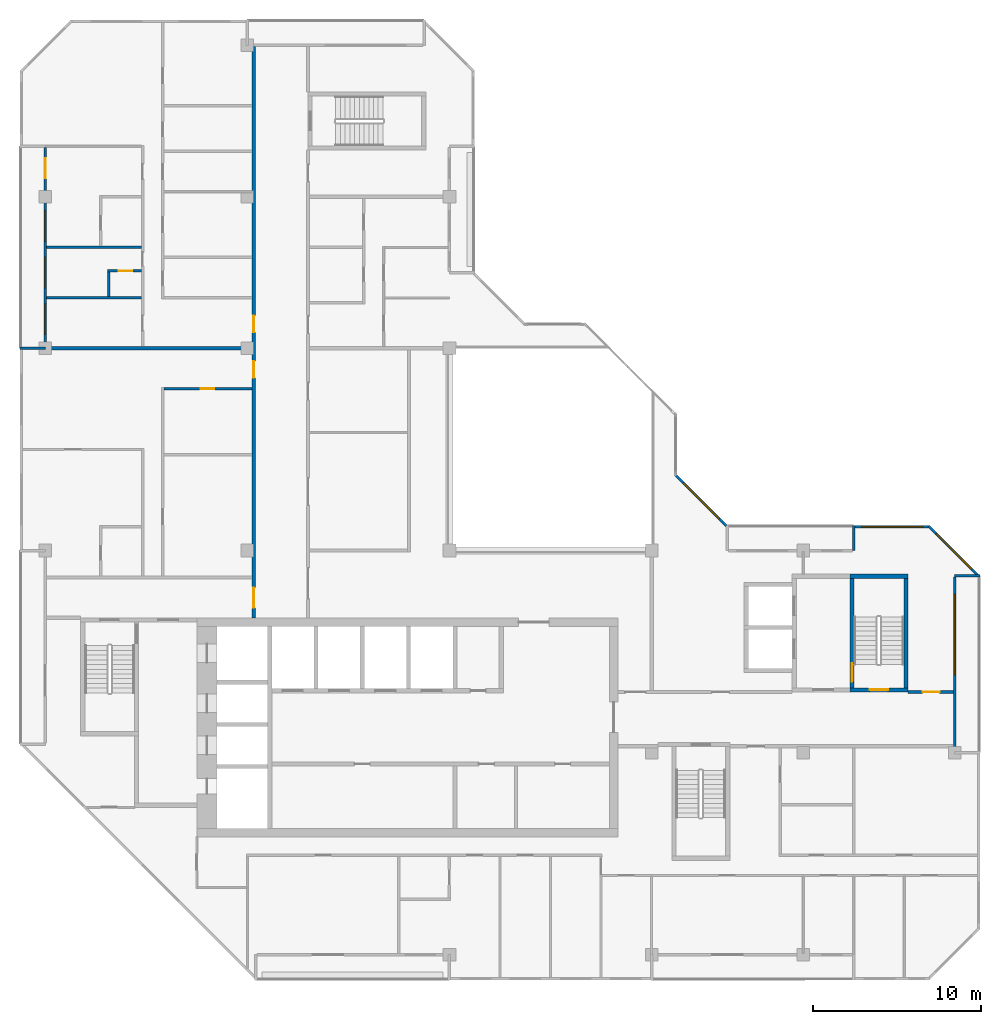
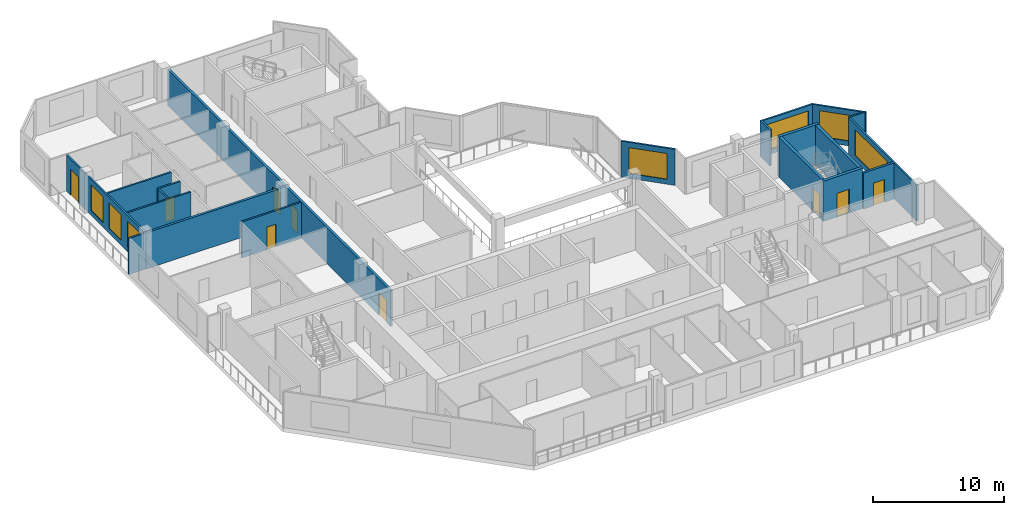
# One storey, part 7 of 12: 20 walls, 9 doors, 7 windows, 16 openings.
"""IFC4 building model written with IfcOpenShell, lengths in metres."""

from ifc_helpers import new_model, si_unit, direction, frame, frame_2d, origin, place, context, subcontext, project, spatial, rectangle, extrude, material, layer, layer_set, type_object, element, fill, save


model = new_model("IFC4")

# Units and contexts
model_context = context("Model", 3, precision=1e-05, world=origin(), true_north=direction((0.0, 1.0)))
body_context = subcontext(model_context, "Body", "Model", "MODEL_VIEW")
ifc_project = project(units=[si_unit("LENGTHUNIT", "METRE"), si_unit("AREAUNIT", "SQUARE_METRE"), si_unit("VOLUMEUNIT", "CUBIC_METRE"), si_unit("PLANEANGLEUNIT", "RADIAN"), si_unit("MASSUNIT", "GRAM", prefix="KILO")], contexts=[model_context])

# Site, building, storey
site_placement = place(None, origin())
site = spatial("IfcSite", under=ifc_project, at=site_placement, CompositionType="ELEMENT")
building_placement = place(site_placement, origin())
building = spatial("IfcBuilding", under=site, at=building_placement, Name="Chenar Terraces", CompositionType="ELEMENT")
storey_placement = place(building_placement, frame((0.0, 0.0, 350.14990234375)))
storey = spatial("IfcBuildingStorey", under=building, at=storey_placement, Name="L81", CompositionType="ELEMENT", Elevation=350.14990234375)

# Wall, opening, door
ifc_material_1 = material(Name="Concrete C50/60", Category="concrete")
ifc_layer_1 = layer(ifc_material_1, 0.25)
ifc_layer_set_1 = layer_set([ifc_layer_1], Name="Concrete C50/60")
wall_type_1 = type_object("IfcWallType", Name="Core wall 250 Concrete C50/60", PredefinedType="SHEAR", material=ifc_layer_set_1)
wall_1_placement = place(storey_placement, frame((47.77490234375, 15.72509765625, 0.0), z_axis=(0.0, 0.0, 1.0), x_axis=(1.0, 0.0, 0.0)))
wall_1 = element("IfcWall", 1, at=wall_1_placement, inside=storey, type_object=wall_type_1, Name="Core wall ST3_S L81", PredefinedType="SHEAR", context=body_context, shape_type="SweptSolid", body=[
    extrude(rectangle(XDim=3.4501953125, YDim=0.25, at=frame_2d((1.72509765625, 0.0))), origin(), (0.0, 0.0, 1.0), 3.75),
])
opening_1_placement = place(wall_1_placement, frame((1.175048828125, 0.0, 0.0)))
opening_1 = element("IfcOpeningElement", 2, at=opening_1_placement, cuts=wall_1, Name="Opening DL81-C8", PredefinedType="OPENING", context=body_context, shape_type="SweptSolid", body=[
    extrude(rectangle(XDim=1.10009765625, YDim=2.199951171875, at=frame_2d((0.550048828125, 1.10009765625))), frame((0.0, 0.135009765625, 0.0), z_axis=(0.0, -1.0, 0.0), x_axis=(1.0, 0.0, 0.0)), (0.0, 0.0, 1.0), 0.27001953125),
])
ifc_material_2 = material(Name="Steel-framed fire-resisting door leaf", Category="steel")
door_type_1 = type_object("IfcDoorType", Name="Stair fire door FD60 1100 x 2200", OperationType="SINGLE_SWING_LEFT", PredefinedType="DOOR", material=ifc_material_2)
door_1_placement = place(opening_1_placement, frame((1.10009765625, 0.0, 0.0), z_axis=(0.0, 0.0, 1.0), x_axis=(-1.0, 0.0, 0.0)))
door_1 = element("IfcDoor", 3, at=door_1_placement, inside=storey, type_object=door_type_1, Name="Stair door DL81-C8", OperationType="SINGLE_SWING_LEFT", OverallHeight=2.199951171875, OverallWidth=1.10009765625, PredefinedType="DOOR", context=body_context, shape_type="SweptSolid", body=[
    extrude(rectangle(XDim=1.10009765625, YDim=2.199951171875, at=frame_2d((0.550048828125, 1.10009765625))), frame((0.0, 0.02490234375, 0.0), z_axis=(0.0, -1.0, 0.0), x_axis=(1.0, 0.0, 0.0)), (0.0, 0.0, 1.0), 0.050048828125),
])
fill(opening_1, door_1)

# Wall
wall_2_placement = place(storey_placement, frame((47.77490234375, 22.47509765625, 0.0), z_axis=(0.0, 0.0, 1.0), x_axis=(1.0, 0.0, 0.0)))
element("IfcWall", 4, at=wall_2_placement, inside=storey, type_object=wall_type_1, Name="Core wall ST3_N L81", PredefinedType="SHEAR", context=body_context, shape_type="SweptSolid", body=[
    extrude(rectangle(XDim=3.4501953125, YDim=0.25, at=frame_2d((1.72509765625, 0.0))), origin(), (0.0, 0.0, 1.0), 3.75),
])

# Wall, opening, door
wall_3_placement = place(storey_placement, frame((47.89990234375, 15.85009765625, 0.0), z_axis=(0.0, 0.0, 1.0), x_axis=(0.0, 1.0, 0.0)))
wall_3 = element("IfcWall", 5, at=wall_3_placement, inside=storey, type_object=wall_type_1, Name="Core wall ST3_W L81", PredefinedType="SHEAR", context=body_context, shape_type="SweptSolid", body=[
    extrude(rectangle(XDim=6.5, YDim=0.25, at=frame_2d((3.25, 0.0))), origin(), (0.0, 0.0, 1.0), 3.75),
])
opening_2_placement = place(wall_3_placement, frame((0.35009765625, 0.0, 0.0)))
opening_2 = element("IfcOpeningElement", 6, at=opening_2_placement, cuts=wall_3, Name="Opening DL81-C11", PredefinedType="OPENING", context=body_context, shape_type="SweptSolid", body=[
    extrude(rectangle(XDim=1.10009765625, YDim=2.199951171875, at=frame_2d((0.550048828125, 1.10009765625))), frame((0.0, 0.135009765625, 0.0), z_axis=(0.0, -1.0, 0.0), x_axis=(1.0, 0.0, 0.0)), (0.0, 0.0, 1.0), 0.27001953125),
])
door_2_placement = place(opening_2_placement, frame((1.10009765625, 0.0, 0.0), z_axis=(0.0, 0.0, 1.0), x_axis=(-1.0, 0.0, 0.0)))
door_2 = element("IfcDoor", 7, at=door_2_placement, inside=storey, type_object=door_type_1, Name="Stair door DL81-C11", OperationType="SINGLE_SWING_RIGHT", OverallHeight=2.199951171875, OverallWidth=1.10009765625, PredefinedType="DOOR", context=body_context, shape_type="SweptSolid", body=[
    extrude(rectangle(XDim=1.10009765625, YDim=2.199951171875, at=frame_2d((0.550048828125, 1.10009765625))), frame((0.0, 0.02490234375, 0.0), z_axis=(0.0, -1.0, 0.0), x_axis=(1.0, 0.0, 0.0)), (0.0, 0.0, 1.0), 0.050048828125),
])
fill(opening_2, door_2)

# Wall
wall_4_placement = place(storey_placement, frame((51.10009765625, 15.85009765625, 0.0), z_axis=(0.0, 0.0, 1.0), x_axis=(0.0, 1.0, 0.0)))
element("IfcWall", 8, at=wall_4_placement, inside=storey, type_object=wall_type_1, Name="Core wall ST3_E L81", PredefinedType="SHEAR", context=body_context, shape_type="SweptSolid", body=[
    extrude(rectangle(XDim=6.5, YDim=0.25, at=frame_2d((3.25, 0.0))), origin(), (0.0, 0.0, 1.0), 3.75),
])

# Wall, openings, doors
ifc_material_3 = material(Name="Gypsum board on steel studs with fire boards", Category="steel")
ifc_layer_2 = layer(ifc_material_3, 0.199951171875)
ifc_layer_set_2 = layer_set([ifc_layer_2], Name="Gypsum board on steel studs with fire boards")
wall_type_2 = type_object("IfcWallType", Name="Corridor wall 200", PredefinedType="PARTITIONING", material=ifc_layer_set_2)
wall_5_placement = place(storey_placement, frame((12.375, 20.0, 0.0), z_axis=(0.0, 0.0, 1.0), x_axis=(0.0, 1.0, 0.0)))
wall_5 = element("IfcWall", 9, at=wall_5_placement, inside=storey, type_object=wall_type_2, Name="Partition L81-030", PredefinedType="PARTITIONING", context=body_context, shape_type="SweptSolid", body=[
    extrude(rectangle(XDim=33.926025390625, YDim=0.199951171875, at=frame_2d((16.962890625, 0.0))), origin(), (0.0, 0.0, 1.0), 3.35009765625),
])
opening_3_placement = place(wall_5_placement, frame((16.949951171875, 0.0, 0.0)))
opening_3 = element("IfcOpeningElement", 10, at=opening_3_placement, cuts=wall_5, Name="Opening DL81-14", PredefinedType="OPENING", context=body_context, shape_type="SweptSolid", body=[
    extrude(rectangle(XDim=1.0, YDim=2.10009765625, at=frame_2d((0.5, 1.050048828125))), frame((0.0, 0.10986328125, 0.0), z_axis=(0.0, -1.0, 0.0), x_axis=(1.0, 0.0, 0.0)), (0.0, 0.0, 1.0), 0.219970703125),
])
opening_4_placement = place(wall_5_placement, frame((0.60009765625, 0.0, 0.0)))
opening_4 = element("IfcOpeningElement", 11, at=opening_4_placement, cuts=wall_5, Name="Opening DL81-22", PredefinedType="OPENING", context=body_context, shape_type="SweptSolid", body=[
    extrude(rectangle(XDim=1.199951171875, YDim=2.10009765625, at=frame_2d((0.60009765625, 1.050048828125))), frame((0.0, 0.10986328125, 0.0), z_axis=(0.0, -1.0, 0.0), x_axis=(1.0, 0.0, 0.0)), (0.0, 0.0, 1.0), 0.219970703125),
])
opening_5_placement = place(wall_5_placement, frame((14.25, 0.0, 0.0)))
opening_5 = element("IfcOpeningElement", 12, at=opening_5_placement, cuts=wall_5, Name="Opening DL81-45", PredefinedType="OPENING", context=body_context, shape_type="SweptSolid", body=[
    extrude(rectangle(XDim=1.0, YDim=2.10009765625, at=frame_2d((0.5, 1.050048828125))), frame((0.0, 0.10986328125, 0.0), z_axis=(0.0, -1.0, 0.0), x_axis=(1.0, 0.0, 0.0)), (0.0, 0.0, 1.0), 0.219970703125),
])
ifc_material_4 = material(Name="Steel-framed fire-resisting door leaf", Category="steel")
door_type_2 = type_object("IfcDoorType", Name="Fire door FD30S 1000 x 2100", OperationType="SINGLE_SWING_LEFT", PredefinedType="DOOR", material=ifc_material_4)
door_3_placement = place(opening_3_placement, origin())
door_3 = element("IfcDoor", 13, at=door_3_placement, inside=storey, type_object=door_type_2, Name="Door DL81-14", OperationType="SINGLE_SWING_LEFT", OverallHeight=2.10009765625, OverallWidth=1.0, PredefinedType="DOOR", context=body_context, shape_type="SweptSolid", body=[
    extrude(rectangle(XDim=1.0, YDim=2.10009765625, at=frame_2d((0.5, 1.050048828125))), frame((0.0, 0.02490234375, 0.0), z_axis=(0.0, -1.0, 0.0), x_axis=(1.0, 0.0, 0.0)), (0.0, 0.0, 1.0), 0.050048828125),
])
fill(opening_3, door_3)
door_4_placement = place(opening_5_placement, origin())
door_4 = element("IfcDoor", 14, at=door_4_placement, inside=storey, type_object=door_type_2, Name="Door DL81-45", OperationType="SINGLE_SWING_RIGHT", OverallHeight=2.10009765625, OverallWidth=1.0, PredefinedType="DOOR", context=body_context, shape_type="SweptSolid", body=[
    extrude(rectangle(XDim=1.0, YDim=2.10009765625, at=frame_2d((0.5, 1.050048828125))), frame((0.0, 0.02490234375, 0.0), z_axis=(0.0, -1.0, 0.0), x_axis=(1.0, 0.0, 0.0)), (0.0, 0.0, 1.0), 0.050048828125),
])
fill(opening_5, door_4)
ifc_material_5 = material(Name="Steel-framed fire-resisting door leaf", Category="steel")
door_type_3 = type_object("IfcDoorType", Name="Fire door FD30S 1200 x 2100", OperationType="SINGLE_SWING_LEFT", PredefinedType="DOOR", material=ifc_material_5)
door_5_placement = place(opening_4_placement, origin())
door_5 = element("IfcDoor", 15, at=door_5_placement, inside=storey, type_object=door_type_3, Name="Door DL81-22", OperationType="SINGLE_SWING_RIGHT", OverallHeight=2.10009765625, OverallWidth=1.199951171875, PredefinedType="DOOR", context=body_context, shape_type="SweptSolid", body=[
    extrude(rectangle(XDim=1.199951171875, YDim=2.10009765625, at=frame_2d((0.60009765625, 1.050048828125))), frame((0.0, 0.02490234375, 0.0), z_axis=(0.0, -1.0, 0.0), x_axis=(1.0, 0.0, 0.0)), (0.0, 0.0, 1.0), 0.050048828125),
])
fill(opening_4, door_5)

# Wall, opening, door
wall_6_placement = place(storey_placement, frame((51.22509765625, 15.60009765625, 0.0), z_axis=(0.0, 0.0, 1.0), x_axis=(1.0, 0.0, 0.0)))
wall_6 = element("IfcWall", 16, at=wall_6_placement, inside=storey, type_object=wall_type_2, Name="Partition L81-064", PredefinedType="PARTITIONING", context=body_context, shape_type="SweptSolid", body=[
    extrude(rectangle(XDim=2.700927734375, YDim=0.199951171875, at=frame_2d((1.3505859375, 0.0))), origin(), (0.0, 0.0, 1.0), 3.35009765625),
])
opening_6_placement = place(wall_6_placement, frame((0.875, 0.0, 0.0)))
opening_6 = element("IfcOpeningElement", 17, at=opening_6_placement, cuts=wall_6, Name="Opening DL81-23", PredefinedType="OPENING", context=body_context, shape_type="SweptSolid", body=[
    extrude(rectangle(XDim=1.0, YDim=2.10009765625, at=frame_2d((0.5, 1.050048828125))), frame((0.0, 0.10986328125, 0.0), z_axis=(0.0, -1.0, 0.0), x_axis=(1.0, 0.0, 0.0)), (0.0, 0.0, 1.0), 0.219970703125),
])
ifc_material_6 = material(Name="Steel-framed fire-resisting door leaf", Category="steel")
door_type_4 = type_object("IfcDoorType", Name="Fire door FD60 1000 x 2100", OperationType="SINGLE_SWING_LEFT", PredefinedType="DOOR", material=ifc_material_6)
door_6_placement = place(opening_6_placement, origin())
door_6 = element("IfcDoor", 18, at=door_6_placement, inside=storey, type_object=door_type_4, Name="Door DL81-23", OperationType="SINGLE_SWING_RIGHT", OverallHeight=2.10009765625, OverallWidth=1.0, PredefinedType="DOOR", context=body_context, shape_type="SweptSolid", body=[
    extrude(rectangle(XDim=1.0, YDim=2.10009765625, at=frame_2d((0.5, 1.050048828125))), frame((0.0, 0.02490234375, 0.0), z_axis=(0.0, -1.0, 0.0), x_axis=(1.0, 0.0, 0.0)), (0.0, 0.0, 1.0), 0.050048828125),
])
fill(opening_6, door_6)

# Wall, opening, window
ifc_material_7 = material(Name="Aluminium framed glazing", Category="aluminium")
ifc_layer_3 = layer(ifc_material_7, 0.14990234375)
ifc_layer_set_3 = layer_set([ifc_layer_3], Name="Aluminium framed glazing")
wall_type_3 = type_object("IfcWallType", Name="Glazed flush facade wall 150", PredefinedType="SOLIDWALL", material=ifc_layer_set_3)
wall_7_placement = place(storey_placement, frame((52.5, 25.425048828125, 0.0), z_axis=(0.0, 0.0, 1.0), x_axis=(-1.0, 0.0, 0.0)))
wall_7 = element("IfcWall", 19, at=wall_7_placement, inside=storey, type_object=wall_type_3, Name="Glazed flush facade wall", PredefinedType="SOLIDWALL", context=body_context, shape_type="SweptSolid", body=[
    extrude(rectangle(XDim=4.425048828125, YDim=0.14990234375, at=frame_2d((2.21240234375, 0.0))), origin(), (0.0, 0.0, 1.0), 3.35009765625),
])
opening_7_placement = place(wall_7_placement, frame((0.41259765625, 0.0, 0.449951171875)))
opening_7 = element("IfcOpeningElement", 20, at=opening_7_placement, cuts=wall_7, Name="Opening W360x240", PredefinedType="OPENING", context=body_context, shape_type="SweptSolid", body=[
    extrude(rectangle(XDim=3.60009765625, YDim=2.39990234375, at=frame_2d((1.800048828125, 1.199951171875))), frame((0.0, 0.0849609375, 0.0), z_axis=(0.0, -1.0, 0.0), x_axis=(1.0, 0.0, 0.0)), (0.0, 0.0, 1.0), 0.169921875),
])
ifc_material_8 = material(Name="Low emissivity double glazing, aluminium frame", Category="aluminium")
window_type_1 = type_object("IfcWindowType", Name="Fixed light 3600 x 2400", PartitioningType="SINGLE_PANEL", PredefinedType="WINDOW", material=ifc_material_8)
window_1_placement = place(opening_7_placement, origin())
window_1 = element("IfcWindow", 21, at=window_1_placement, inside=storey, type_object=window_type_1, Name="Window", OverallHeight=2.39990234375, OverallWidth=3.60009765625, PartitioningType="SINGLE_PANEL", PredefinedType="WINDOW", context=body_context, shape_type="SweptSolid", body=[
    extrude(rectangle(XDim=3.60009765625, YDim=2.39990234375, at=frame_2d((1.800048828125, 1.199951171875))), frame((0.0, 0.030029296875, 0.0), z_axis=(0.0, -1.0, 0.0), x_axis=(1.0, 0.0, 0.0)), (0.0, 0.0, 1.0), 0.06005859375),
])
fill(opening_7, window_1)

# Wall, openings, windows, door
ifc_material_9 = material(Name="Aluminium framed glazing", Category="aluminium")
ifc_layer_4 = layer(ifc_material_9, 0.14990234375)
ifc_layer_set_4 = layer_set([ifc_layer_4], Name="Aluminium framed glazing")
wall_type_4 = type_object("IfcWallType", Name="Glazed loggia back wall 150", PredefinedType="SOLIDWALL", material=ifc_layer_set_4)
wall_8_placement = place(storey_placement, frame((0.0, 47.925048828125, 0.0), z_axis=(0.0, 0.0, 1.0), x_axis=(0.0, -1.0, 0.0)))
wall_8 = element("IfcWall", 22, at=wall_8_placement, inside=storey, type_object=wall_type_4, Name="Glazed loggia back wall", PredefinedType="SOLIDWALL", context=body_context, shape_type="SweptSolid", body=[
    extrude(rectangle(XDim=11.85009765625, YDim=0.14990234375, at=frame_2d((5.925048828125, 0.0))), origin(), (0.0, 0.0, 1.0), 3.35009765625),
])
opening_8_placement = place(wall_8_placement, frame((0.625, 0.0, 0.0)))
opening_8 = element("IfcOpeningElement", 23, at=opening_8_placement, cuts=wall_8, Name="Opening DL81-G1", PredefinedType="OPENING", context=body_context, shape_type="SweptSolid", body=[
    extrude(rectangle(XDim=1.199951171875, YDim=2.39990234375, at=frame_2d((0.60009765625, 1.199951171875))), frame((0.0, 0.0849609375, 0.0), z_axis=(0.0, -1.0, 0.0), x_axis=(1.0, 0.0, 0.0)), (0.0, 0.0, 1.0), 0.169921875),
])
opening_9_placement = place(wall_8_placement, frame((3.762451171875, 0.0, 0.449951171875)))
opening_9 = element("IfcOpeningElement", 24, at=opening_9_placement, cuts=wall_8, Name="Opening W180x240", PredefinedType="OPENING", context=body_context, shape_type="SweptSolid", body=[
    extrude(rectangle(XDim=1.800048828125, YDim=2.39990234375, at=frame_2d((0.89990234375, 1.199951171875))), frame((0.0, 0.0849609375, 0.0), z_axis=(0.0, -1.0, 0.0), x_axis=(1.0, 0.0, 0.0)), (0.0, 0.0, 1.0), 0.169921875),
])
opening_10_placement = place(wall_8_placement, frame((6.52490234375, 0.0, 0.449951171875)))
opening_10 = element("IfcOpeningElement", 25, at=opening_10_placement, cuts=wall_8, Name="Opening W180x240", PredefinedType="OPENING", context=body_context, shape_type="SweptSolid", body=[
    extrude(rectangle(XDim=1.800048828125, YDim=2.39990234375, at=frame_2d((0.89990234375, 1.199951171875))), frame((0.0, 0.0849609375, 0.0), z_axis=(0.0, -1.0, 0.0), x_axis=(1.0, 0.0, 0.0)), (0.0, 0.0, 1.0), 0.169921875),
])
opening_11_placement = place(wall_8_placement, frame((9.28759765625, 0.0, 0.449951171875)))
opening_11 = element("IfcOpeningElement", 26, at=opening_11_placement, cuts=wall_8, Name="Opening W180x240", PredefinedType="OPENING", context=body_context, shape_type="SweptSolid", body=[
    extrude(rectangle(XDim=1.800048828125, YDim=2.39990234375, at=frame_2d((0.89990234375, 1.199951171875))), frame((0.0, 0.0849609375, 0.0), z_axis=(0.0, -1.0, 0.0), x_axis=(1.0, 0.0, 0.0)), (0.0, 0.0, 1.0), 0.169921875),
])
ifc_material_10 = material(Name="Low emissivity double glazing, aluminium frame", Category="aluminium")
window_type_2 = type_object("IfcWindowType", Name="Fixed light 1800 x 2400", PartitioningType="SINGLE_PANEL", PredefinedType="WINDOW", material=ifc_material_10)
window_2_placement = place(opening_9_placement, origin())
window_2 = element("IfcWindow", 27, at=window_2_placement, inside=storey, type_object=window_type_2, Name="Window", OverallHeight=2.39990234375, OverallWidth=1.800048828125, PartitioningType="SINGLE_PANEL", PredefinedType="WINDOW", context=body_context, shape_type="SweptSolid", body=[
    extrude(rectangle(XDim=1.800048828125, YDim=2.39990234375, at=frame_2d((0.89990234375, 1.199951171875))), frame((0.0, 0.030029296875, 0.0), z_axis=(0.0, -1.0, 0.0), x_axis=(1.0, 0.0, 0.0)), (0.0, 0.0, 1.0), 0.06005859375),
])
fill(opening_9, window_2)
window_3_placement = place(opening_10_placement, origin())
window_3 = element("IfcWindow", 28, at=window_3_placement, inside=storey, type_object=window_type_2, Name="Window", OverallHeight=2.39990234375, OverallWidth=1.800048828125, PartitioningType="SINGLE_PANEL", PredefinedType="WINDOW", context=body_context, shape_type="SweptSolid", body=[
    extrude(rectangle(XDim=1.800048828125, YDim=2.39990234375, at=frame_2d((0.89990234375, 1.199951171875))), frame((0.0, 0.030029296875, 0.0), z_axis=(0.0, -1.0, 0.0), x_axis=(1.0, 0.0, 0.0)), (0.0, 0.0, 1.0), 0.06005859375),
])
fill(opening_10, window_3)
window_4_placement = place(opening_11_placement, origin())
window_4 = element("IfcWindow", 29, at=window_4_placement, inside=storey, type_object=window_type_2, Name="Window", OverallHeight=2.39990234375, OverallWidth=1.800048828125, PartitioningType="SINGLE_PANEL", PredefinedType="WINDOW", context=body_context, shape_type="SweptSolid", body=[
    extrude(rectangle(XDim=1.800048828125, YDim=2.39990234375, at=frame_2d((0.89990234375, 1.199951171875))), frame((0.0, 0.030029296875, 0.0), z_axis=(0.0, -1.0, 0.0), x_axis=(1.0, 0.0, 0.0)), (0.0, 0.0, 1.0), 0.06005859375),
])
fill(opening_11, window_4)
ifc_material_11 = material(Name="Low emissivity double glazing, aluminium frame", Category="aluminium")
door_type_5 = type_object("IfcDoorType", Name="Loggia glazed double door 1200 x 2400", OperationType="DOUBLE_DOOR_SINGLE_SWING", PredefinedType="DOOR", material=ifc_material_11)
door_7_placement = place(opening_8_placement, frame((1.199951171875, 0.0, 0.0), z_axis=(0.0, 0.0, 1.0), x_axis=(-1.0, 0.0, 0.0)))
door_7 = element("IfcDoor", 30, at=door_7_placement, inside=storey, type_object=door_type_5, Name="Loggia glazed door", OperationType="DOUBLE_DOOR_SINGLE_SWING", OverallHeight=2.39990234375, OverallWidth=1.199951171875, PredefinedType="DOOR", context=body_context, shape_type="SweptSolid", body=[
    extrude(rectangle(XDim=1.199951171875, YDim=2.39990234375, at=frame_2d((0.60009765625, 1.199951171875))), frame((0.0, 0.02490234375, 0.0), z_axis=(0.0, -1.0, 0.0), x_axis=(1.0, 0.0, 0.0)), (0.0, 0.0, 1.0), 0.050048828125),
])
fill(opening_8, door_7)

# Wall, opening, window
wall_9_placement = place(storey_placement, frame((54.0, 12.074951171875, 0.0), z_axis=(0.0, 0.0, 1.0), x_axis=(0.0, 1.0, 0.0)))
wall_9 = element("IfcWall", 31, at=wall_9_placement, inside=storey, type_object=wall_type_4, Name="Glazed loggia back wall", PredefinedType="SOLIDWALL", context=body_context, shape_type="SweptSolid", body=[
    extrude(rectangle(XDim=10.35009765625, YDim=0.14990234375, at=frame_2d((5.175048828125, 0.0))), origin(), (0.0, 0.0, 1.0), 3.35009765625),
])
opening_12_placement = place(wall_9_placement, frame((4.53759765625, 0.0, 0.449951171875)))
opening_12 = element("IfcOpeningElement", 32, at=opening_12_placement, cuts=wall_9, Name="Opening W480x240", PredefinedType="OPENING", context=body_context, shape_type="SweptSolid", body=[
    extrude(rectangle(XDim=4.800048828125, YDim=2.39990234375, at=frame_2d((2.39990234375, 1.199951171875))), frame((0.0, 0.0849609375, 0.0), z_axis=(0.0, -1.0, 0.0), x_axis=(1.0, 0.0, 0.0)), (0.0, 0.0, 1.0), 0.169921875),
])
ifc_material_12 = material(Name="Low emissivity double glazing, aluminium frame", Category="aluminium")
window_type_3 = type_object("IfcWindowType", Name="Fixed light 4800 x 2400", PartitioningType="SINGLE_PANEL", PredefinedType="WINDOW", material=ifc_material_12)
window_5_placement = place(opening_12_placement, origin())
window_5 = element("IfcWindow", 33, at=window_5_placement, inside=storey, type_object=window_type_3, Name="Window", OverallHeight=2.39990234375, OverallWidth=4.800048828125, PartitioningType="SINGLE_PANEL", PredefinedType="WINDOW", context=body_context, shape_type="SweptSolid", body=[
    extrude(rectangle(XDim=4.800048828125, YDim=2.39990234375, at=frame_2d((2.39990234375, 1.199951171875))), frame((0.0, 0.030029296875, 0.0), z_axis=(0.0, -1.0, 0.0), x_axis=(1.0, 0.0, 0.0)), (0.0, 0.0, 1.0), 0.06005859375),
])
fill(opening_12, window_5)

# Walls
ifc_material_13 = material(Name="Terracotta cladding on insulated backing", Category="masonry")
ifc_layer_5 = layer(ifc_material_13, 0.14990234375)
ifc_layer_set_5 = layer_set([ifc_layer_5], Name="Terracotta cladding on insulated backing")
wall_type_5 = type_object("IfcWallType", Name="Loggia return wall 150", PredefinedType="SOLIDWALL", material=ifc_layer_set_5)
for number, where, z_axis, x_axis, name in (
    (34, (48.0, 25.5, 0.0), (0.0, 0.0, 1.0), (0.0, -1.0, 0.0), "Loggia return wall"),
    (35, (-1.5, 36.0, 0.0), (0.0, 0.0, 1.0), (1.0, 0.0, 0.0), "Loggia return wall"),
    (36, (55.5, 22.5, 0.0), (0.0, 0.0, 1.0), (-1.0, 0.0, 0.0), "Loggia return wall"),
):
    element("IfcWall", number, at=place(storey_placement, frame(where, z_axis=z_axis, x_axis=x_axis)), inside=storey, type_object=wall_type_5, Name=name, PredefinedType="SOLIDWALL", context=body_context, shape_type="SweptSolid", body=[
        extrude(rectangle(XDim=1.5, YDim=0.14990234375, at=frame_2d((0.75, 0.0))), origin(), (0.0, 0.0, 1.0), 3.35009765625),
    ])

# Wall, opening, window
ifc_material_14 = material(Name="Terracotta cladding on insulated backing", Category="masonry")
ifc_layer_6 = layer(ifc_material_14, 0.14990234375)
ifc_layer_set_6 = layer_set([ifc_layer_6], Name="Terracotta cladding on insulated backing")
wall_type_6 = type_object("IfcWallType", Name="Terracotta rainscreen wall 150", PredefinedType="SOLIDWALL", material=ifc_layer_set_6)
wall_10_placement = place(storey_placement, frame((40.447021484375, 25.447021484375, 0.0), z_axis=(0.0, 0.0, 1.0), x_axis=(-0.707106781187, 0.707106781187, 0.0)))
wall_10 = element("IfcWall", 37, at=wall_10_placement, inside=storey, type_object=wall_type_6, Name="Terracotta rainscreen wall", PredefinedType="SOLIDWALL", context=body_context, shape_type="SweptSolid", body=[
    extrude(rectangle(XDim=4.24267578125, YDim=0.14990234375, at=frame_2d((2.121337890625, 0.0))), origin(), (0.0, 0.0, 1.0), 3.35009765625),
])
opening_13_placement = place(wall_10_placement, frame((0.621337890625, 0.0, 0.449951171875)))
opening_13 = element("IfcOpeningElement", 38, at=opening_13_placement, cuts=wall_10, Name="Opening W300x240", PredefinedType="OPENING", context=body_context, shape_type="SweptSolid", body=[
    extrude(rectangle(XDim=3.0, YDim=2.39990234375, at=frame_2d((1.5, 1.199951171875))), frame((0.0, 0.0849609375, 0.0), z_axis=(0.0, -1.0, 0.0), x_axis=(1.0, 0.0, 0.0)), (0.0, 0.0, 1.0), 0.169921875),
])
ifc_material_15 = material(Name="Low emissivity double glazing, aluminium frame", Category="aluminium")
window_type_4 = type_object("IfcWindowType", Name="Fixed light 3000 x 2400", PartitioningType="SINGLE_PANEL", PredefinedType="WINDOW", material=ifc_material_15)
window_6_placement = place(opening_13_placement, origin())
window_6 = element("IfcWindow", 39, at=window_6_placement, inside=storey, type_object=window_type_4, Name="Window", OverallHeight=2.39990234375, OverallWidth=3.0, PartitioningType="SINGLE_PANEL", PredefinedType="WINDOW", context=body_context, shape_type="SweptSolid", body=[
    extrude(rectangle(XDim=3.0, YDim=2.39990234375, at=frame_2d((1.5, 1.199951171875))), frame((0.0, 0.030029296875, 0.0), z_axis=(0.0, -1.0, 0.0), x_axis=(1.0, 0.0, 0.0)), (0.0, 0.0, 1.0), 0.06005859375),
])
fill(opening_13, window_6)

wall_11_placement = place(storey_placement, frame((55.447021484375, 22.447021484375, 0.0), z_axis=(0.0, 0.0, 1.0), x_axis=(-0.707106781187, 0.707106781187, 0.0)))
wall_11 = element("IfcWall", 40, at=wall_11_placement, inside=storey, type_object=wall_type_6, Name="Terracotta rainscreen wall", PredefinedType="SOLIDWALL", context=body_context, shape_type="SweptSolid", body=[
    extrude(rectangle(XDim=4.24267578125, YDim=0.14990234375, at=frame_2d((2.121337890625, 0.0))), origin(), (0.0, 0.0, 1.0), 3.35009765625),
])
opening_14_placement = place(wall_11_placement, frame((0.621337890625, 0.0, 0.449951171875)))
opening_14 = element("IfcOpeningElement", 41, at=opening_14_placement, cuts=wall_11, Name="Opening W300x240", PredefinedType="OPENING", context=body_context, shape_type="SweptSolid", body=[
    extrude(rectangle(XDim=3.0, YDim=2.39990234375, at=frame_2d((1.5, 1.199951171875))), frame((0.0, 0.0849609375, 0.0), z_axis=(0.0, -1.0, 0.0), x_axis=(1.0, 0.0, 0.0)), (0.0, 0.0, 1.0), 0.169921875),
])
window_7_placement = place(opening_14_placement, origin())
window_7 = element("IfcWindow", 42, at=window_7_placement, inside=storey, type_object=window_type_4, Name="Window", OverallHeight=2.39990234375, OverallWidth=3.0, PartitioningType="SINGLE_PANEL", PredefinedType="WINDOW", context=body_context, shape_type="SweptSolid", body=[
    extrude(rectangle(XDim=3.0, YDim=2.39990234375, at=frame_2d((1.5, 1.199951171875))), frame((0.0, 0.030029296875, 0.0), z_axis=(0.0, -1.0, 0.0), x_axis=(1.0, 0.0, 0.0)), (0.0, 0.0, 1.0), 0.06005859375),
])
fill(opening_14, window_7)

# Walls
ifc_material_16 = material(Name="Twin gypsum board on steel studs with mineral wool", Category="steel")
ifc_layer_7 = layer(ifc_material_16, 0.199951171875)
ifc_layer_set_7 = layer_set([ifc_layer_7], Name="Twin gypsum board on steel studs with mineral wool")
wall_type_7 = type_object("IfcWallType", Name="Unit demising wall 200", PredefinedType="PARTITIONING", material=ifc_layer_set_7)
wall_12_placement = place(storey_placement, frame((0.0, 36.0, 0.0), z_axis=(0.0, 0.0, 1.0), x_axis=(1.0, 0.0, 0.0)))
element("IfcWall", 43, at=wall_12_placement, inside=storey, type_object=wall_type_7, Name="Partition L81-002", PredefinedType="PARTITIONING", context=body_context, shape_type="SweptSolid", body=[
    extrude(rectangle(XDim=12.27490234375, YDim=0.199951171875, at=frame_2d((6.137451171875, 0.0))), origin(), (0.0, 0.0, 1.0), 3.35009765625),
])
ifc_material_17 = material(Name="Moisture-resistant gypsum board on steel studs", Category="steel")
ifc_layer_8 = layer(ifc_material_17, 0.14990234375)
ifc_layer_set_8 = layer_set([ifc_layer_8], Name="Moisture-resistant gypsum board on steel studs")
wall_type_8 = type_object("IfcWallType", Name="Wet-room partition 150", PredefinedType="PARTITIONING", material=ifc_layer_set_8)
for number, where, z_axis, x_axis, name in (
    (44, (0.073974609375, 39.0, 0.0), (0.0, 0.0, 1.0), (1.0, 0.0, 0.0), "Partition L81-006"),
    (45, (0.073974609375, 42.0, 0.0), (0.0, 0.0, 1.0), (1.0, 0.0, 0.0), "Partition L81-007"),
):
    element("IfcWall", number, at=place(storey_placement, frame(where, z_axis=z_axis, x_axis=x_axis)), inside=storey, type_object=wall_type_8, Name=name, PredefinedType="PARTITIONING", context=body_context, shape_type="SweptSolid", body=[
        extrude(rectangle(XDim=5.6259765625, YDim=0.14990234375, at=frame_2d((2.81298828125, 0.0))), origin(), (0.0, 0.0, 1.0), 3.35009765625),
    ])

# Wall, opening, door
wall_13_placement = place(storey_placement, frame((3.699951171875, 40.60009765625, 0.0), z_axis=(0.0, 0.0, 1.0), x_axis=(1.0, 0.0, 0.0)))
wall_13 = element("IfcWall", 46, at=wall_13_placement, inside=storey, type_object=wall_type_8, Name="Partition L81-013", PredefinedType="PARTITIONING", context=body_context, shape_type="SweptSolid", body=[
    extrude(rectangle(XDim=2.0, YDim=0.14990234375, at=frame_2d((1.0, 0.0))), origin(), (0.0, 0.0, 1.0), 3.35009765625),
])
opening_15_placement = place(wall_13_placement, frame((0.675048828125, 0.0, 0.0)))
opening_15 = element("IfcOpeningElement", 47, at=opening_15_placement, cuts=wall_13, Name="Opening DL81-16", PredefinedType="OPENING", context=body_context, shape_type="SweptSolid", body=[
    extrude(rectangle(XDim=0.800048828125, YDim=2.10009765625, at=frame_2d((0.39990234375, 1.050048828125))), frame((0.0, 0.0849609375, 0.0), z_axis=(0.0, -1.0, 0.0), x_axis=(1.0, 0.0, 0.0)), (0.0, 0.0, 1.0), 0.169921875),
])
ifc_material_18 = material(Name="Veneered timber door leaf", Category="wood")
door_type_6 = type_object("IfcDoorType", Name="Door 800 x 2100", OperationType="SINGLE_SWING_LEFT", PredefinedType="DOOR", material=ifc_material_18)
door_8_placement = place(opening_15_placement, frame((0.800048828125, 0.0, 0.0), z_axis=(0.0, 0.0, 1.0), x_axis=(-1.0, 0.0, 0.0)))
door_8 = element("IfcDoor", 48, at=door_8_placement, inside=storey, type_object=door_type_6, Name="Door DL81-16", OperationType="SINGLE_SWING_RIGHT", OverallHeight=2.10009765625, OverallWidth=0.800048828125, PredefinedType="DOOR", context=body_context, shape_type="SweptSolid", body=[
    extrude(rectangle(XDim=0.800048828125, YDim=2.10009765625, at=frame_2d((0.39990234375, 1.050048828125))), frame((0.0, 0.02490234375, 0.0), z_axis=(0.0, -1.0, 0.0), x_axis=(1.0, 0.0, 0.0)), (0.0, 0.0, 1.0), 0.050048828125),
])
fill(opening_15, door_8)

# Wall
wall_14_placement = place(storey_placement, frame((3.77490234375, 39.074951171875, 0.0), z_axis=(0.0, 0.0, 1.0), x_axis=(0.0, 1.0, 0.0)))
element("IfcWall", 49, at=wall_14_placement, inside=storey, type_object=wall_type_8, Name="Partition L81-014", PredefinedType="PARTITIONING", context=body_context, shape_type="SweptSolid", body=[
    extrude(rectangle(XDim=1.449951171875, YDim=0.14990234375, at=frame_2d((0.72509765625, 0.0))), origin(), (0.0, 0.0, 1.0), 3.35009765625),
])

# Wall, opening, door
wall_15_placement = place(storey_placement, frame((7.050048828125, 33.60009765625, 0.0), z_axis=(0.0, 0.0, 1.0), x_axis=(1.0, 0.0, 0.0)))
wall_15 = element("IfcWall", 50, at=wall_15_placement, inside=storey, type_object=wall_type_8, Name="Partition L81-020", PredefinedType="PARTITIONING", context=body_context, shape_type="SweptSolid", body=[
    extrude(rectangle(XDim=5.224853515625, YDim=0.14990234375, at=frame_2d((2.6123046875, 0.0))), origin(), (0.0, 0.0, 1.0), 3.35009765625),
])
opening_16_placement = place(wall_15_placement, frame((2.175048828125, 0.0, 0.0)))
opening_16 = element("IfcOpeningElement", 51, at=opening_16_placement, cuts=wall_15, Name="Opening DL81-41", PredefinedType="OPENING", context=body_context, shape_type="SweptSolid", body=[
    extrude(rectangle(XDim=0.800048828125, YDim=2.10009765625, at=frame_2d((0.39990234375, 1.050048828125))), frame((0.0, 0.0849609375, 0.0), z_axis=(0.0, -1.0, 0.0), x_axis=(1.0, 0.0, 0.0)), (0.0, 0.0, 1.0), 0.169921875),
])
door_9_placement = place(opening_16_placement, frame((0.800048828125, 0.0, 0.0), z_axis=(0.0, 0.0, 1.0), x_axis=(-1.0, 0.0, 0.0)))
door_9 = element("IfcDoor", 52, at=door_9_placement, inside=storey, type_object=door_type_6, Name="Door DL81-41", OperationType="SINGLE_SWING_LEFT", OverallHeight=2.10009765625, OverallWidth=0.800048828125, PredefinedType="DOOR", context=body_context, shape_type="SweptSolid", body=[
    extrude(rectangle(XDim=0.800048828125, YDim=2.10009765625, at=frame_2d((0.39990234375, 1.050048828125))), frame((0.0, 0.02490234375, 0.0), z_axis=(0.0, -1.0, 0.0), x_axis=(1.0, 0.0, 0.0)), (0.0, 0.0, 1.0), 0.050048828125),
])
fill(opening_16, door_9)

save(model, "model.ifc")
